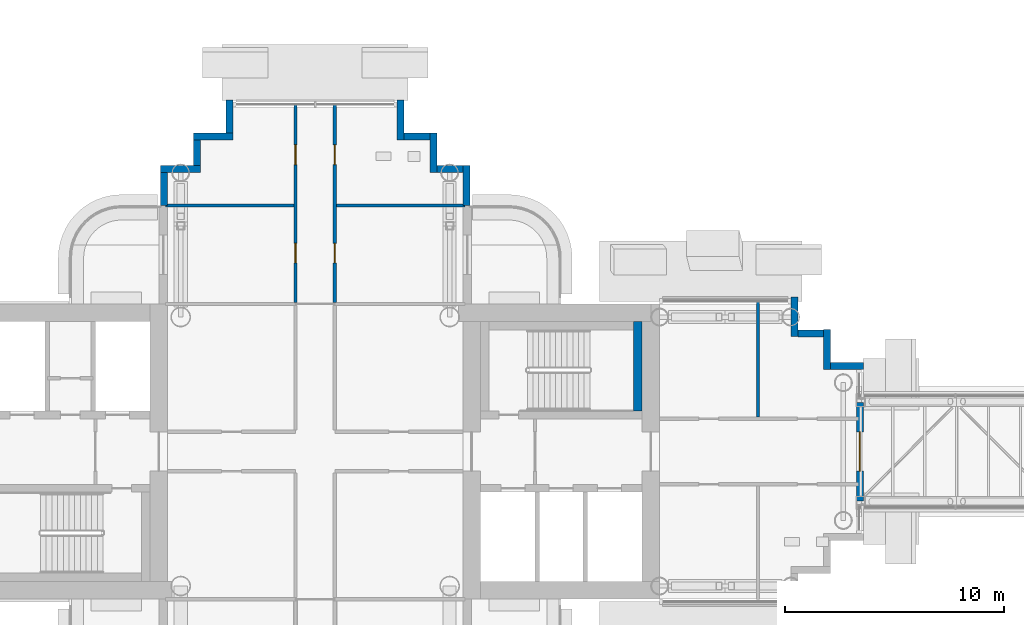
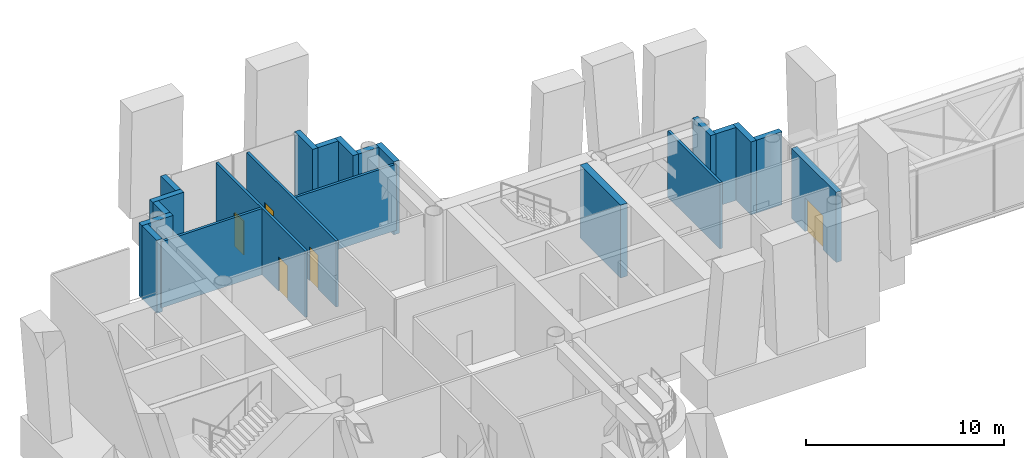
# One storey, part 14 of 26: 21 walls, 5 doors, 5 openings.
"""IFC4 building model written with IfcOpenShell, lengths in metres."""

import ifcopenshell
import ifcopenshell.guid

model = None  # the IFC model being written
_history = None  # IfcOwnerHistory: only IFC2X3 demands one
_inside = {}  # id of a spatial element -> (the spatial element, [elements in it])
_under = {}  # id of a project, library or spatial element -> (it, [spatial elements below it])
_declared = {}  # id of a project -> (the project, [libraries it declares])
_typed = {}  # id of a type object -> (the type object, [elements of that type])
_made_of = {}  # id of a material, layer set ... -> (it, [elements and type objects made of it])


def new_model(schema):
    """Start an empty IFC model of exactly this schema.

    Asked for "IFC4X3", IfcOpenShell would pick the latest addendum, in which some entities
    have other attributes; the version numbers below select the first issue.
    IFC2X3 requires an IfcOwnerHistory on every rooted entity: one is made here for all.
    """
    global model, _history
    if schema == "IFC4X3":
        model = ifcopenshell.file(schema_version=(4, 3, 0, 0))
    else:
        model = ifcopenshell.file(schema=schema)
    _inside.clear()
    _under.clear()
    _declared.clear()
    _typed.clear()
    _made_of.clear()
    _history = None
    if model.schema == "IFC2X3":
        org = make("IfcOrganization", Name="unknown")
        user = make(
            "IfcPersonAndOrganization",
            ThePerson=make("IfcPerson", FamilyName="unknown"),
            TheOrganization=org,
        )
        app = make(
            "IfcApplication",
            ApplicationDeveloper=org,
            Version="unknown",
            ApplicationFullName="unknown",
            ApplicationIdentifier="unknown",
        )
        _history = make(
            "IfcOwnerHistory",
            OwningUser=user,
            OwningApplication=app,
            ChangeAction="ADDED",
            CreationDate=0,
        )
    return model


def make(cls, **values):
    """One entity of the class cls with the attributes given. An attribute that is None is left unset."""
    return model.create_entity(
        cls, **{name: value for name, value in values.items() if value is not None}
    )


def rooted(cls, **values):
    """An entity with a GlobalId (a new one), such as an element, a storey or a relation."""
    return make(cls, GlobalId=ifcopenshell.guid.new(), OwnerHistory=_history, **values)


def si_unit(unit_type, name, prefix=None):
    """IfcSIUnit, for example si_unit("LENGTHUNIT", "METRE", prefix="MILLI")."""
    return make("IfcSIUnit", UnitType=unit_type, Prefix=prefix, Name=name)


def assignment(units):
    """IfcUnitAssignment: the units of a project."""
    return None if units is None else make("IfcUnitAssignment", Units=units)


def point(xyz):
    """IfcCartesianPoint."""
    return None if xyz is None else make("IfcCartesianPoint", Coordinates=xyz)


def direction(xyz):
    """IfcDirection."""
    return None if xyz is None else make("IfcDirection", DirectionRatios=xyz)


def frame(location, z_axis=None, x_axis=None):
    """IfcAxis2Placement3D, a coordinate frame: its origin and axes. An axis left out is left unset."""
    return make(
        "IfcAxis2Placement3D",
        Location=point(location),
        Axis=direction(z_axis),
        RefDirection=direction(x_axis),
    )


def frame_2d(location, x_axis=None):
    """IfcAxis2Placement2D, a coordinate frame in the plane: its origin and x axis."""
    return make(
        "IfcAxis2Placement2D", Location=point(location), RefDirection=direction(x_axis)
    )


def origin():
    """The frame at (0, 0, 0) with its axes left unset."""
    return frame((0.0, 0.0, 0.0))


def place(relative_to, where):
    """IfcLocalPlacement: puts the frame where relative to a parent placement (None: the world)."""
    return make(
        "IfcLocalPlacement", PlacementRelTo=relative_to, RelativePlacement=where
    )


def context(
    kind, dimensions, precision=None, world=None, true_north=None, identifier=None
):
    """IfcGeometricRepresentationContext, for example the 3D "Model" context."""
    return make(
        "IfcGeometricRepresentationContext",
        ContextIdentifier=identifier,
        ContextType=kind,
        CoordinateSpaceDimension=dimensions,
        Precision=precision,
        WorldCoordinateSystem=world,
        TrueNorth=true_north,
    )


def subcontext(parent, identifier, kind, view, scale=None):
    """IfcGeometricRepresentationSubContext, for example "Body" below "Model"."""
    return make(
        "IfcGeometricRepresentationSubContext",
        ContextIdentifier=identifier,
        ContextType=kind,
        ParentContext=parent,
        TargetScale=scale,
        TargetView=view,
    )


def project(units=None, contexts=None):
    """IfcProject with its units and contexts."""
    return rooted(
        "IfcProject",
        Name="project",
        RepresentationContexts=contexts,
        UnitsInContext=assignment(units),
    )


def spatial(cls, under=None, at=None, **own):
    """A site, building, storey or space (cls), placed at a placement, below another one or the project."""
    s = rooted(cls, ObjectPlacement=at, **own)
    if under is not None:
        _under.setdefault(under.id(), (under, []))[1].append(s)
    return s


def profile(cls, at=None, kind="AREA", **sizes):
    """A parametric profile (cls). Its sizes go by their IFC names, for example OverallWidth=200.0."""
    return make(cls, ProfileType=kind, Position=at, **sizes)


def rectangle(**sizes):
    """IfcRectangleProfileDef."""
    return profile("IfcRectangleProfileDef", **sizes)


def extrude(swept, where, along, depth):
    """IfcExtrudedAreaSolid: the profile swept, set in the frame where, extruded along a direction by depth."""
    return make(
        "IfcExtrudedAreaSolid",
        SweptArea=swept,
        Position=where,
        ExtrudedDirection=direction(along),
        Depth=depth,
    )


def shape(context_of_items, identifier, shape_type, items):
    """IfcShapeRepresentation: the items that make up one representation, for example the "Body"."""
    return make(
        "IfcShapeRepresentation",
        ContextOfItems=context_of_items,
        RepresentationIdentifier=identifier,
        RepresentationType=shape_type,
        Items=items,
    )


def material(Name=None, Category=None):
    """IfcMaterial."""
    return make("IfcMaterial", Name=Name, Category=Category)


def layer(
    of_material, thickness, ventilated=None, Name=None, Category=None, Priority=None
):
    """IfcMaterialLayer: one layer of a wall or slab, of a material (None: an air gap)."""
    return make(
        "IfcMaterialLayer",
        Material=of_material,
        LayerThickness=thickness,
        IsVentilated=ventilated,
        Name=Name,
        Category=Category,
        Priority=Priority,
    )


def layer_set(layers, Name=None):
    """IfcMaterialLayerSet."""
    return make("IfcMaterialLayerSet", MaterialLayers=layers, LayerSetName=Name)


def made_of(thing, what):
    """Note that an element or type object is made of a material, layer set ...; save() writes the relation."""
    if what is not None:
        _made_of.setdefault(what.id(), (what, []))[1].append(thing)
    return thing


def type_object(cls, material=None, **own):
    """A type object (cls), such as IfcWallType, which elements share."""
    return made_of(rooted(cls, **own), material)


def element(
    cls,
    number,
    at=None,
    inside=None,
    cuts=None,
    type_object=None,
    material=None,
    context=None,
    identifier="Body",
    shape_type=None,
    held_by="IfcProductDefinitionShape",
    body=None,
    shapes=None,
    **own,
):
    """One element of the class cls, such as IfcWall. Its Tag is "e" and its number.

    at: its placement. inside: the storey or other place that contains it. cuts: it is an
    opening in that element (IfcRelVoidsElement). A single representation is given by context,
    identifier, shape_type and body (its items); several are given by shapes. held_by: the class
    of the entity that holds the representations. save() writes the other relations.
    """
    e = rooted(cls, Tag="e%d" % number, ObjectPlacement=at, **own)
    if body is not None:
        shapes = [shape(context, identifier, shape_type, body)]
    if shapes is not None:
        e.Representation = make(held_by, Representations=shapes)
    if inside is not None:
        _inside.setdefault(inside.id(), (inside, []))[1].append(e)
    if cuts is not None:
        rooted(
            "IfcRelVoidsElement", RelatingBuildingElement=cuts, RelatedOpeningElement=e
        )
    if type_object is not None:
        _typed.setdefault(type_object.id(), (type_object, []))[1].append(e)
    return made_of(e, material)


def fill(opening, filler):
    """IfcRelFillsElement: the door or window that sits in an opening."""
    return rooted(
        "IfcRelFillsElement",
        RelatingOpeningElement=opening,
        RelatedBuildingElement=filler,
    )


def aggregate(whole, parts):
    """IfcRelAggregates: a whole, such as a stair, and the parts it consists of."""
    return rooted("IfcRelAggregates", RelatingObject=whole, RelatedObjects=parts)


def save(model, path):
    """Write the relations noted so far, then the file.

    IfcRelAggregates (storeys below a building ...), IfcRelContainedInSpatialStructure (elements
    in a storey), IfcRelDefinesByType, IfcRelAssociatesMaterial and IfcRelDeclares: one each for
    every whole, place, type object, material and project.
    """
    for whole, parts in _under.values():
        aggregate(whole, parts)
    for where, things in _inside.values():
        rooted(
            "IfcRelContainedInSpatialStructure",
            RelatedElements=things,
            RelatingStructure=where,
        )
    for kind, things in _typed.values():
        rooted("IfcRelDefinesByType", RelatedObjects=things, RelatingType=kind)
    for what, things in _made_of.values():
        rooted("IfcRelAssociatesMaterial", RelatedObjects=things, RelatingMaterial=what)
    for by, libraries in _declared.values():
        rooted("IfcRelDeclares", RelatingContext=by, RelatedDefinitions=libraries)
    model.write(path)


model = new_model("IFC4")

# Units and contexts
model_context = context("Model", 3, precision=1e-05, world=origin(), true_north=direction((0.0, 1.0)))
body_context = subcontext(model_context, "Body", "Model", "MODEL_VIEW")
ifc_project = project(units=[si_unit("LENGTHUNIT", "METRE"), si_unit("AREAUNIT", "SQUARE_METRE"), si_unit("VOLUMEUNIT", "CUBIC_METRE"), si_unit("PLANEANGLEUNIT", "RADIAN"), si_unit("MASSUNIT", "GRAM", prefix="KILO")], contexts=[model_context])

# Site, building, storey
site_placement = place(None, origin())
site = spatial("IfcSite", under=ifc_project, at=site_placement, CompositionType="ELEMENT")
building_placement = place(site_placement, origin())
building = spatial("IfcBuilding", under=site, at=building_placement, Name="Ipe Terrace Towers", CompositionType="ELEMENT")
storey_placement = place(building_placement, frame((0.0, 0.0, 181.300048828125)))
storey = spatial("IfcBuildingStorey", under=building, at=storey_placement, Name="L50", CompositionType="ELEMENT", Elevation=181.300048828125)

# Wall, opening, door
ifc_material_1 = material(Name="Concrete C40/50 with buff precast cladding", Category="concrete")
ifc_layer_1 = layer(ifc_material_1, 0.320068359375)
ifc_layer_set_1 = layer_set([ifc_layer_1], Name="BUFF CLADDING WALL 320")
wall_type_1 = type_object("IfcWallType", Name="BUFF CLADDING WALL 320", PredefinedType="STANDARD", material=ifc_layer_set_1)
wall_1_placement = place(storey_placement, frame((-11.090087890625, -2.25, -0.1201171875), z_axis=(0.0, 0.0, 1.0), x_axis=(0.0, 1.0, 0.0)))
wall_1 = element("IfcWall", 1, at=wall_1_placement, inside=storey, type_object=wall_type_1, Name="T1-W-L50-21b wall", PredefinedType="STANDARD", context=body_context, shape_type="SweptSolid", body=[
    extrude(rectangle(XDim=4.5, YDim=0.320068359375, at=frame_2d((2.25, 0.0))), origin(), (0.0, 0.0, 1.0), 4.320068359375),
])
opening_1_placement = place(wall_1_placement, frame((1.35009765625, 0.0, 0.0)))
opening_1 = element("IfcOpeningElement", 2, at=opening_1_placement, cuts=wall_1, Name="Opening T1-D-L50-21", PredefinedType="OPENING", context=body_context, shape_type="SweptSolid", body=[
    extrude(rectangle(XDim=1.800048828125, YDim=2.10009765625, at=frame_2d((0.89990234375, 1.050048828125))), frame((0.0, 0.169921875, 0.0), z_axis=(0.0, -1.0, 0.0), x_axis=(1.0, 0.0, 0.0)), (0.0, 0.0, 1.0), 0.340087890625),
])
ifc_material_2 = material(Name="Steel S235 fire door", Category="steel")
door_type_1 = type_object("IfcDoorType", Name="BRIDGE FIRE DOOR 1800 x 2100", OperationType="DOUBLE_DOOR_SINGLE_SWING", PredefinedType="DOOR", material=ifc_material_2)
door_1_placement = place(opening_1_placement, origin())
door_1 = element("IfcDoor", 3, at=door_1_placement, inside=storey, type_object=door_type_1, Name="DF1 door", OperationType="DOUBLE_DOOR_SINGLE_SWING", OverallHeight=2.10009765625, OverallWidth=1.800048828125, PredefinedType="DOOR", context=body_context, shape_type="SweptSolid", body=[
    extrude(rectangle(XDim=1.800048828125, YDim=2.10009765625, at=frame_2d((0.89990234375, 1.050048828125))), frame((0.0, 0.02490234375, 0.0), z_axis=(0.0, -1.0, 0.0), x_axis=(1.0, 0.0, 0.0)), (0.0, 0.0, 1.0), 0.050048828125),
])
fill(opening_1, door_1)

# Walls
wall_2_placement = place(storey_placement, frame((-10.929931640625, 3.909912109375, -0.300048828125), z_axis=(0.0, 0.0, 1.0), x_axis=(-1.0, 0.0, 0.0)))
element("IfcWall", 4, at=wall_2_placement, inside=storey, type_object=wall_type_1, Name="T1-W-L50-22a wall", PredefinedType="STANDARD", context=body_context, shape_type="SweptSolid", body=[
    extrude(rectangle(XDim=1.5, YDim=0.320068359375, at=frame_2d((0.75, 0.0))), origin(), (0.0, 0.0, 1.0), 4.5),
])
wall_3_placement = place(storey_placement, frame((-12.590087890625, 3.75, -0.300048828125), z_axis=(0.0, 0.0, 1.0), x_axis=(0.0, 1.0, 0.0)))
element("IfcWall", 5, at=wall_3_placement, inside=storey, type_object=wall_type_1, Name="T1-W-L50-23a wall", PredefinedType="STANDARD", context=body_context, shape_type="SweptSolid", body=[
    extrude(rectangle(XDim=1.820068359375, YDim=0.320068359375, at=frame_2d((0.91015625, 0.0))), origin(), (0.0, 0.0, 1.0), 4.5),
])
wall_4_placement = place(storey_placement, frame((-12.75, 5.409912109375, -0.300048828125), z_axis=(0.0, 0.0, 1.0), x_axis=(-1.0, 0.0, 0.0)))
element("IfcWall", 6, at=wall_4_placement, inside=storey, type_object=wall_type_1, Name="T1-W-L50-24a wall", PredefinedType="STANDARD", context=body_context, shape_type="SweptSolid", body=[
    extrude(rectangle(XDim=1.179931640625, YDim=0.320068359375, at=frame_2d((0.58984375, 0.0))), origin(), (0.0, 0.0, 1.0), 4.5),
])
for number, where, z_axis, x_axis, name in (
    (7, (-14.090087890625, 5.25, -0.300048828125), (0.0, 0.0, 1.0), (0.0, 1.0, 0.0), "T1-W-L50-25a wall"),
    (8, (-29.090087890625, 11.25, -0.300048828125), (0.0, 0.0, 1.0), (0.0, 1.0, 0.0), "T1-W-L50-29a wall"),
):
    element("IfcWall", number, at=place(storey_placement, frame(where, z_axis=z_axis, x_axis=x_axis)), inside=storey, type_object=wall_type_1, Name=name, PredefinedType="STANDARD", context=body_context, shape_type="SweptSolid", body=[
        extrude(rectangle(XDim=1.820068359375, YDim=0.320068359375, at=frame_2d((0.91015625, 0.0))), origin(), (0.0, 0.0, 1.0), 4.5),
    ])
wall_5_placement = place(storey_placement, frame((-29.25, 12.909912109375, -0.300048828125), z_axis=(0.0, 0.0, 1.0), x_axis=(-1.0, 0.0, 0.0)))
element("IfcWall", 9, at=wall_5_placement, inside=storey, type_object=wall_type_1, Name="T1-W-L50-30a wall", PredefinedType="STANDARD", context=body_context, shape_type="SweptSolid", body=[
    extrude(rectangle(XDim=1.179931640625, YDim=0.320068359375, at=frame_2d((0.58984375, 0.0))), origin(), (0.0, 0.0, 1.0), 4.5),
])
wall_6_placement = place(storey_placement, frame((-30.590087890625, 12.75, -0.300048828125), z_axis=(0.0, 0.0, 1.0), x_axis=(0.0, 1.0, 0.0)))
element("IfcWall", 10, at=wall_6_placement, inside=storey, type_object=wall_type_1, Name="T1-W-L50-31a wall", PredefinedType="STANDARD", context=body_context, shape_type="SweptSolid", body=[
    extrude(rectangle(XDim=1.820068359375, YDim=0.320068359375, at=frame_2d((0.91015625, 0.0))), origin(), (0.0, 0.0, 1.0), 4.5),
])
wall_7_placement = place(storey_placement, frame((-30.75, 14.409912109375, -0.300048828125), z_axis=(0.0, 0.0, 1.0), x_axis=(-1.0, 0.0, 0.0)))
element("IfcWall", 11, at=wall_7_placement, inside=storey, type_object=wall_type_1, Name="T1-W-L50-32a wall", PredefinedType="STANDARD", context=body_context, shape_type="SweptSolid", body=[
    extrude(rectangle(XDim=1.179931640625, YDim=0.320068359375, at=frame_2d((0.58984375, 0.0))), origin(), (0.0, 0.0, 1.0), 4.5),
])
wall_8_placement = place(storey_placement, frame((-32.090087890625, 14.25, -0.300048828125), z_axis=(0.0, 0.0, 1.0), x_axis=(0.0, 1.0, 0.0)))
element("IfcWall", 12, at=wall_8_placement, inside=storey, type_object=wall_type_1, Name="T1-W-L50-33a wall", PredefinedType="STANDARD", context=body_context, shape_type="SweptSolid", body=[
    extrude(rectangle(XDim=1.820068359375, YDim=0.320068359375, at=frame_2d((0.91015625, 0.0))), origin(), (0.0, 0.0, 1.0), 4.5),
])
wall_9_placement = place(storey_placement, frame((-39.909912109375, 16.070068359375, -0.300048828125), z_axis=(0.0, 0.0, 1.0), x_axis=(0.0, -1.0, 0.0)))
element("IfcWall", 13, at=wall_9_placement, inside=storey, type_object=wall_type_1, Name="T1-W-L50-35a wall", PredefinedType="STANDARD", context=body_context, shape_type="SweptSolid", body=[
    extrude(rectangle(XDim=1.5, YDim=0.320068359375, at=frame_2d((0.75, 0.0))), origin(), (0.0, 0.0, 1.0), 4.5),
])
wall_10_placement = place(storey_placement, frame((-39.75, 14.409912109375, -0.300048828125), z_axis=(0.0, 0.0, 1.0), x_axis=(-1.0, 0.0, 0.0)))
element("IfcWall", 14, at=wall_10_placement, inside=storey, type_object=wall_type_1, Name="T1-W-L50-36a wall", PredefinedType="STANDARD", context=body_context, shape_type="SweptSolid", body=[
    extrude(rectangle(XDim=1.820068359375, YDim=0.320068359375, at=frame_2d((0.91015625, 0.0))), origin(), (0.0, 0.0, 1.0), 4.5),
])
wall_11_placement = place(storey_placement, frame((-41.409912109375, 14.25, -0.300048828125), z_axis=(0.0, 0.0, 1.0), x_axis=(0.0, -1.0, 0.0)))
element("IfcWall", 15, at=wall_11_placement, inside=storey, type_object=wall_type_1, Name="T1-W-L50-37a wall", PredefinedType="STANDARD", context=body_context, shape_type="SweptSolid", body=[
    extrude(rectangle(XDim=1.179931640625, YDim=0.320068359375, at=frame_2d((0.58984375, 0.0))), origin(), (0.0, 0.0, 1.0), 4.5),
])
wall_12_placement = place(storey_placement, frame((-41.25, 12.909912109375, -0.300048828125), z_axis=(0.0, 0.0, 1.0), x_axis=(-1.0, 0.0, 0.0)))
element("IfcWall", 16, at=wall_12_placement, inside=storey, type_object=wall_type_1, Name="T1-W-L50-38a wall", PredefinedType="STANDARD", context=body_context, shape_type="SweptSolid", body=[
    extrude(rectangle(XDim=1.820068359375, YDim=0.320068359375, at=frame_2d((0.91015625, 0.0))), origin(), (0.0, 0.0, 1.0), 4.5),
])
wall_13_placement = place(storey_placement, frame((-42.909912109375, 12.75, -0.300048828125), z_axis=(0.0, 0.0, 1.0), x_axis=(0.0, -1.0, 0.0)))
element("IfcWall", 17, at=wall_13_placement, inside=storey, type_object=wall_type_1, Name="T1-W-L50-39a wall", PredefinedType="STANDARD", context=body_context, shape_type="SweptSolid", body=[
    extrude(rectangle(XDim=1.5, YDim=0.320068359375, at=frame_2d((0.75, 0.0))), origin(), (0.0, 0.0, 1.0), 4.5),
])
ifc_material_3 = material(Name="Gypsum board partition", Category="plasterboard")
ifc_layer_2 = layer(ifc_material_3, 0.14990234375)
ifc_layer_set_2 = layer_set([ifc_layer_2], Name="Gypsum board partition 150 mm")
wall_type_2 = type_object("IfcWallType", Name="Gypsum board partition 150 mm", PredefinedType="PARTITIONING", material=ifc_layer_set_2)
wall_14_placement = place(storey_placement, frame((-15.75, 1.574951171875, 0.0), z_axis=(0.0, 0.0, 1.0), x_axis=(0.0, 1.0, 0.0)))
element("IfcWall", 18, at=wall_14_placement, inside=storey, type_object=wall_type_2, Name="Gypsum board partition T1 L50 sp-Lp-dp1", PredefinedType="PARTITIONING", context=body_context, shape_type="SweptSolid", body=[
    extrude(rectangle(XDim=5.275146484375, YDim=0.14990234375, at=frame_2d((2.6376953125, 0.0))), origin(), (0.0, 0.0, 1.0), 4.079833984375),
])

# Wall, openings, doors
wall_15_placement = place(storey_placement, frame((-35.10009765625, 6.824951171875, 0.0), z_axis=(0.0, 0.0, 1.0), x_axis=(0.0, 1.0, 0.0)))
wall_15 = element("IfcWall", 19, at=wall_15_placement, inside=storey, type_object=wall_type_2, Name="Gypsum board partition T1 L50 sp-Sp-wp", PredefinedType="PARTITIONING", context=body_context, shape_type="SweptSolid", body=[
    extrude(rectangle(XDim=9.025146484375, YDim=0.14990234375, at=frame_2d((4.5126953125, 0.0))), origin(), (0.0, 0.0, 1.0), 4.079833984375),
])
opening_2_placement = place(wall_15_placement, frame((1.800048828125, 0.0, 0.0)))
opening_2 = element("IfcOpeningElement", 20, at=opening_2_placement, cuts=wall_15, Name="Opening T1-SP-PSp1", PredefinedType="OPENING", context=body_context, shape_type="SweptSolid", body=[
    extrude(rectangle(XDim=0.89990234375, YDim=2.10009765625, at=frame_2d((0.449951171875, 1.050048828125))), frame((0.0, 0.0849609375, 0.0), z_axis=(0.0, -1.0, 0.0), x_axis=(1.0, 0.0, 0.0)), (0.0, 0.0, 1.0), 0.169921875),
])
opening_3_placement = place(wall_15_placement, frame((6.300048828125, 0.0, 0.0)))
opening_3 = element("IfcOpeningElement", 21, at=opening_3_placement, cuts=wall_15, Name="Opening T1-SP-PSp2-NR", PredefinedType="OPENING", context=body_context, shape_type="SweptSolid", body=[
    extrude(rectangle(XDim=0.89990234375, YDim=2.10009765625, at=frame_2d((0.449951171875, 1.050048828125))), frame((0.0, 0.0849609375, 0.0), z_axis=(0.0, -1.0, 0.0), x_axis=(1.0, 0.0, 0.0)), (0.0, 0.0, 1.0), 0.169921875),
])
ifc_material_4 = material(Name="Timber door leaf", Category="wood")
door_type_2 = type_object("IfcDoorType", Name="Lounge door 900 x 2100", OperationType="NOTDEFINED", PredefinedType="DOOR", material=ifc_material_4)
door_2_placement = place(opening_3_placement, origin())
door_2 = element("IfcDoor", 22, at=door_2_placement, inside=storey, type_object=door_type_2, Name="Lounge door T1-SP-PSp2-NR", OperationType="SINGLE_SWING_RIGHT", OverallHeight=2.10009765625, OverallWidth=0.89990234375, PredefinedType="DOOR", context=body_context, shape_type="SweptSolid", body=[
    extrude(rectangle(XDim=0.89990234375, YDim=2.10009765625, at=frame_2d((0.449951171875, 1.050048828125))), frame((0.0, 0.02490234375, 0.0), z_axis=(0.0, -1.0, 0.0), x_axis=(1.0, 0.0, 0.0)), (0.0, 0.0, 1.0), 0.050048828125),
])
fill(opening_3, door_2)
ifc_material_5 = material(Name="Fire-rated timber door leaf", Category="wood")
door_type_3 = type_object("IfcDoorType", Name="Lounge door 900 x 2100 FD30S", OperationType="NOTDEFINED", PredefinedType="DOOR", material=ifc_material_5)
door_3_placement = place(opening_2_placement, origin())
door_3 = element("IfcDoor", 23, at=door_3_placement, inside=storey, type_object=door_type_3, Name="Lounge door T1-SP-PSp1", OperationType="SINGLE_SWING_LEFT", OverallHeight=2.10009765625, OverallWidth=0.89990234375, PredefinedType="DOOR", context=body_context, shape_type="SweptSolid", body=[
    extrude(rectangle(XDim=0.89990234375, YDim=2.10009765625, at=frame_2d((0.449951171875, 1.050048828125))), frame((0.0, 0.02490234375, 0.0), z_axis=(0.0, -1.0, 0.0), x_axis=(1.0, 0.0, 0.0)), (0.0, 0.0, 1.0), 0.050048828125),
])
fill(opening_2, door_3)

# Wall
wall_16_placement = place(storey_placement, frame((-35.02490234375, 11.25, 0.0), z_axis=(0.0, 0.0, 1.0), x_axis=(1.0, 0.0, 0.0)))
element("IfcWall", 24, at=wall_16_placement, inside=storey, type_object=wall_type_2, Name="Gypsum board partition T1 L50 sp-Sp-dp1", PredefinedType="PARTITIONING", context=body_context, shape_type="SweptSolid", body=[
    extrude(rectangle(XDim=5.875, YDim=0.14990234375, at=frame_2d((2.9375, 0.0))), origin(), (0.0, 0.0, 1.0), 4.079833984375),
])

# Wall, openings, doors
wall_17_placement = place(storey_placement, frame((-36.89990234375, 6.824951171875, 0.0), z_axis=(0.0, 0.0, 1.0), x_axis=(0.0, 1.0, 0.0)))
wall_17 = element("IfcWall", 25, at=wall_17_placement, inside=storey, type_object=wall_type_2, Name="Gypsum board partition T1 L50 sp-Sp-wm", PredefinedType="PARTITIONING", context=body_context, shape_type="SweptSolid", body=[
    extrude(rectangle(XDim=9.025146484375, YDim=0.14990234375, at=frame_2d((4.5126953125, 0.0))), origin(), (0.0, 0.0, 1.0), 4.079833984375),
])
opening_4_placement = place(wall_17_placement, frame((1.800048828125, 0.0, 0.0)))
opening_4 = element("IfcOpeningElement", 26, at=opening_4_placement, cuts=wall_17, Name="Opening T1-SP-MSp1", PredefinedType="OPENING", context=body_context, shape_type="SweptSolid", body=[
    extrude(rectangle(XDim=0.89990234375, YDim=2.10009765625, at=frame_2d((0.449951171875, 1.050048828125))), frame((0.0, 0.0849609375, 0.0), z_axis=(0.0, -1.0, 0.0), x_axis=(1.0, 0.0, 0.0)), (0.0, 0.0, 1.0), 0.169921875),
])
opening_5_placement = place(wall_17_placement, frame((6.300048828125, 0.0, 0.0)))
opening_5 = element("IfcOpeningElement", 27, at=opening_5_placement, cuts=wall_17, Name="Opening T1-SP-MSp2-FD30S", PredefinedType="OPENING", context=body_context, shape_type="SweptSolid", body=[
    extrude(rectangle(XDim=0.89990234375, YDim=2.10009765625, at=frame_2d((0.449951171875, 1.050048828125))), frame((0.0, 0.0849609375, 0.0), z_axis=(0.0, -1.0, 0.0), x_axis=(1.0, 0.0, 0.0)), (0.0, 0.0, 1.0), 0.169921875),
])
door_4_placement = place(opening_4_placement, origin())
door_4 = element("IfcDoor", 28, at=door_4_placement, inside=storey, type_object=door_type_3, Name="Lounge door T1-SP-MSp1", OperationType="SINGLE_SWING_RIGHT", OverallHeight=2.10009765625, OverallWidth=0.89990234375, PredefinedType="DOOR", context=body_context, shape_type="SweptSolid", body=[
    extrude(rectangle(XDim=0.89990234375, YDim=2.10009765625, at=frame_2d((0.449951171875, 1.050048828125))), frame((0.0, 0.02490234375, 0.0), z_axis=(0.0, -1.0, 0.0), x_axis=(1.0, 0.0, 0.0)), (0.0, 0.0, 1.0), 0.050048828125),
])
fill(opening_4, door_4)
door_5_placement = place(opening_5_placement, origin())
door_5 = element("IfcDoor", 29, at=door_5_placement, inside=storey, type_object=door_type_3, Name="Lounge door T1-SP-MSp2-FD30S", OperationType="SINGLE_SWING_LEFT", OverallHeight=2.10009765625, OverallWidth=0.89990234375, PredefinedType="DOOR", context=body_context, shape_type="SweptSolid", body=[
    extrude(rectangle(XDim=0.89990234375, YDim=2.10009765625, at=frame_2d((0.449951171875, 1.050048828125))), frame((0.0, 0.02490234375, 0.0), z_axis=(0.0, -1.0, 0.0), x_axis=(1.0, 0.0, 0.0)), (0.0, 0.0, 1.0), 0.050048828125),
])
fill(opening_5, door_5)

# Walls
wall_18_placement = place(storey_placement, frame((-36.97509765625, 11.25, 0.0), z_axis=(0.0, 0.0, 1.0), x_axis=(-1.0, 0.0, 0.0)))
element("IfcWall", 30, at=wall_18_placement, inside=storey, type_object=wall_type_2, Name="Gypsum board partition T1 L50 sp-Sp-dm1", PredefinedType="PARTITIONING", context=body_context, shape_type="SweptSolid", body=[
    extrude(rectangle(XDim=5.875, YDim=0.14990234375, at=frame_2d((2.9375, 0.0))), origin(), (0.0, 0.0, 1.0), 4.079833984375),
])
ifc_material_6 = material(Name="Concrete C50/60", Category="concrete")
ifc_layer_3 = layer(ifc_material_6, 0.39990234375)
ifc_layer_set_3 = layer_set([ifc_layer_3], Name="RW400 CORE INFILL WALL 400 C50-60")
wall_type_3 = type_object("IfcWallType", Name="RW400 CORE INFILL WALL 400 C50-60", PredefinedType="SHEAR", material=ifc_layer_set_3)
wall_19_placement = place(storey_placement, frame((-21.25, 1.85009765625, 0.0), z_axis=(0.0, 0.0, 1.0), x_axis=(0.0, 1.0, 0.0)))
element("IfcWall", 31, at=wall_19_placement, inside=storey, type_object=wall_type_3, Name="Core infill wall T1-C1-far", PredefinedType="SHEAR", context=body_context, shape_type="SweptSolid", body=[
    extrude(rectangle(XDim=4.099853515625, YDim=0.39990234375, at=frame_2d((2.0498046875, 0.0))), origin(), (0.0, 0.0, 1.0), 4.5),
])

save(model, "model.ifc")
